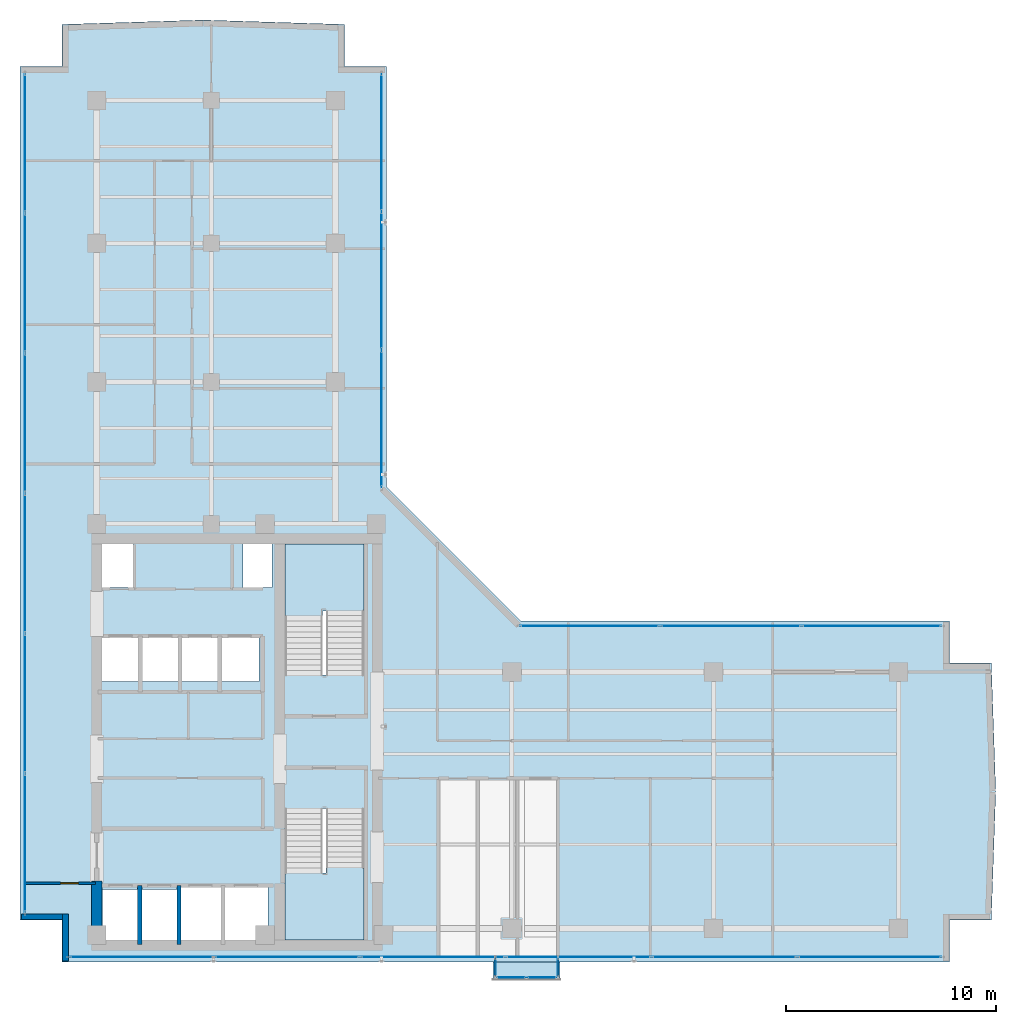
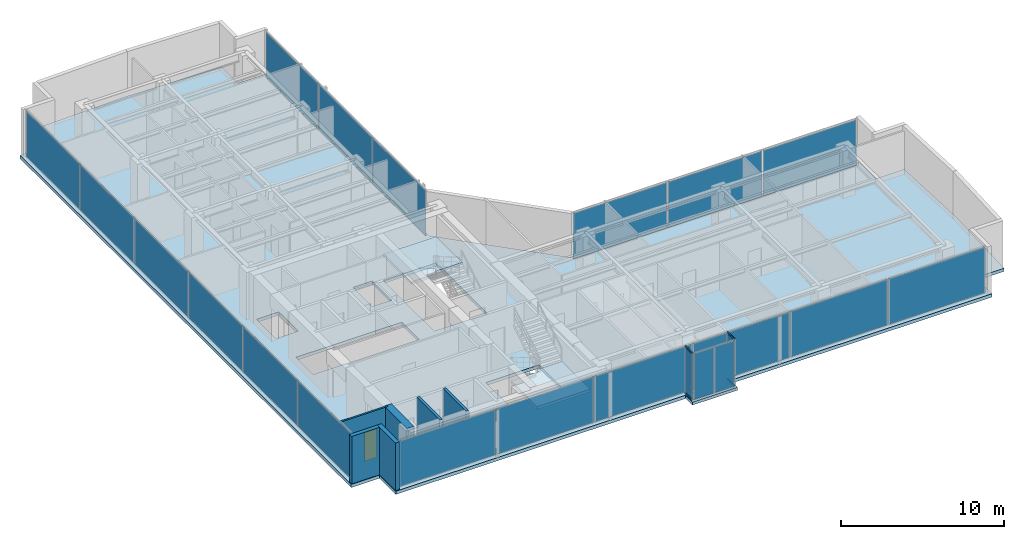
# One storey, part 16 of 22: 22 plates, 6 walls, 4 members, 4 slabs, 1 door, 1 opening, 9 elements without a shape of their own.
"""IFC4 building model written with IfcOpenShell, lengths in metres."""

from ifc_helpers import new_model, si_unit, direction, frame, frame_2d, origin, origin_with_axes, origin_2d, place, context, subcontext, project, spatial, polyline, rectangle, hollow_rectangle, outline, extrude, source, transform, mapped, material, layer, layer_set, material_profile, profile_set, type_object, element, fill, aggregate, save


model = new_model("IFC4")

# Units and contexts
model_context = context("Model", 3, precision=1e-05, world=origin(), true_north=direction((0.0, 1.0)))
body_context = subcontext(model_context, "Body", "Model", "MODEL_VIEW")
ifc_project = project(units=[si_unit("LENGTHUNIT", "METRE"), si_unit("AREAUNIT", "SQUARE_METRE"), si_unit("VOLUMEUNIT", "CUBIC_METRE"), si_unit("PLANEANGLEUNIT", "RADIAN"), si_unit("MASSUNIT", "GRAM", prefix="KILO")], contexts=[model_context])

# Site, building, storey
site_placement = place(None, origin())
site = spatial("IfcSite", under=ifc_project, at=site_placement, CompositionType="ELEMENT")
building_placement = place(site_placement, origin())
building = spatial("IfcBuilding", under=site, at=building_placement, Name="Kolvaren Waterfront Exchange", CompositionType="ELEMENT")
storey_placement = place(building_placement, frame((0.0, 0.0, 323.60009765625)))
storey = spatial("IfcBuildingStorey", under=building, at=storey_placement, Name="L83", CompositionType="ELEMENT", Elevation=323.60009765625)

# Curtain wall, members
ifc_material_1 = material(Name="Anodised bronze aluminium 6063-T6", Category="aluminium")
ifc_layer_1 = layer(ifc_material_1, 0.219970703125, Name="Anodised bronze aluminium 6063-T6")
ifc_layer_set_1 = layer_set([ifc_layer_1], Name="Anodised bronze aluminium 6063-T6")
curtain_wall_type_1 = type_object("IfcCurtainWallType", Name="ARC-CW-SYS3", PredefinedType="USERDEFINED", material=ifc_layer_set_1)
curtain_wall_1_placement = place(storey_placement, origin())
curtain_wall_1 = element("IfcCurtainWall", 1, at=curtain_wall_1_placement, inside=storey, type_object=curtain_wall_type_1, Name="L83 stick curtain wall CW3 (CW-L83-BOX-W)", ObjectType="STICK CURTAIN WALL", PredefinedType="USERDEFINED")
ifc_material_profile = material_profile(ifc_material_1, hollow_rectangle(XDim=0.06494140625, YDim=0.1298828125, WallThickness=0.00390625, at=origin_2d()), Name="ALU-TRN-130x65x4")
ifc_profile_set = profile_set([ifc_material_profile], Name="Anodised bronze aluminium 6063-T6")
member_type = type_object("IfcMemberType", Name="ARC-CWT-130", PredefinedType="USERDEFINED", material=ifc_profile_set)
shared_shape_1 = source(origin_with_axes(), body_context, "Body", "SweptSolid", [
    extrude(hollow_rectangle(XDim=0.06494140625, YDim=0.1298828125, WallThickness=0.00390625, at=origin_2d()), origin(), (0.0, 0.0, 1.0), 0.829833984375),
])
member_1_placement = place(storey_placement, frame((26.409912109375, 3.764892578125, 0.032470703125), z_axis=(0.0, -1.0, 0.0), x_axis=(1.0, 0.0, 0.0)))
member_1 = element("IfcMember", 2, at=member_1_placement, type_object=member_type, Name="CW3 transom 1.1", ObjectType="TRANSOM", PredefinedType="USERDEFINED", context=body_context, shape_type="MappedRepresentation", body=[
    mapped(shared_shape_1, transform((0.0, 0.0, 0.0), x_axis=(1.0, 0.0, 0.0), y_axis=(0.0, 1.0, 0.0), z_axis=(0.0, 0.0, 1.0), scale=1.0)),
])
member_2_placement = place(storey_placement, frame((26.409912109375, 3.764892578125, 3.52734375), z_axis=(0.0, -1.0, 0.0), x_axis=(1.0, 0.0, 0.0)))
member_2 = element("IfcMember", 3, at=member_2_placement, type_object=member_type, Name="CW3 transom 1.2", ObjectType="TRANSOM", PredefinedType="USERDEFINED", context=body_context, shape_type="MappedRepresentation", body=[
    mapped(shared_shape_1, transform((0.0, 0.0, 0.0), x_axis=(1.0, 0.0, 0.0), y_axis=(0.0, 1.0, 0.0), z_axis=(0.0, 0.0, 1.0), scale=1.0)),
])

curtain_wall_2_placement = place(storey_placement, origin())
curtain_wall_2 = element("IfcCurtainWall", 4, at=curtain_wall_2_placement, inside=storey, type_object=curtain_wall_type_1, Name="L83 stick curtain wall CW3 (CW-L83-BOX-E)", ObjectType="STICK CURTAIN WALL", PredefinedType="USERDEFINED")
member_3_placement = place(storey_placement, frame((29.389892578125, 2.93505859375, 0.032470703125), z_axis=(0.0, 1.0, 0.0), x_axis=(-1.0, 0.0, 0.0)))
member_3 = element("IfcMember", 5, at=member_3_placement, type_object=member_type, Name="CW3 transom 1.1", ObjectType="TRANSOM", PredefinedType="USERDEFINED", context=body_context, shape_type="MappedRepresentation", body=[
    mapped(shared_shape_1, transform((0.0, 0.0, 0.0), x_axis=(1.0, 0.0, 0.0), y_axis=(0.0, 1.0, 0.0), z_axis=(0.0, 0.0, 1.0), scale=1.0)),
])
member_4_placement = place(storey_placement, frame((29.389892578125, 2.93505859375, 3.52734375), z_axis=(0.0, 1.0, 0.0), x_axis=(-1.0, 0.0, 0.0)))
member_4 = element("IfcMember", 6, at=member_4_placement, type_object=member_type, Name="CW3 transom 1.2", ObjectType="TRANSOM", PredefinedType="USERDEFINED", context=body_context, shape_type="MappedRepresentation", body=[
    mapped(shared_shape_1, transform((0.0, 0.0, 0.0), x_axis=(1.0, 0.0, 0.0), y_axis=(0.0, 1.0, 0.0), z_axis=(0.0, 0.0, 1.0), scale=1.0)),
])

# Stair, slab
ifc_material_2 = material(Name="Concrete C40/50", Category="concrete")
stair_type = type_object("IfcStairType", Name="ARC-STAIR-3800", PredefinedType="HALF_TURN_STAIR", material=ifc_material_2)
stair_1_placement = place(storey_placement, origin())
stair_1 = element("IfcStair", 7, at=stair_1_placement, inside=storey, type_object=stair_type, Name="L83 Smoke-proof exit stair ST1", PredefinedType="HALF_TURN_STAIR")
ifc_layer_2 = layer(ifc_material_2, 0.199951171875, Name="Concrete C40/50")
ifc_layer_set_2 = layer_set([ifc_layer_2], Name="Concrete C40/50")
slab_type_1 = type_object("IfcSlabType", Name="STR-LANDING-200", PredefinedType="LANDING", material=ifc_layer_set_2)
slab_1_placement = place(storey_placement, frame((0.0, 0.0, 1.77587890625)))
slab_1 = element("IfcSlab", 8, at=slab_1_placement, type_object=slab_type_1, Name="ST1 landing 1", PredefinedType="LANDING", context=body_context, shape_type="SweptSolid", body=[
    extrude(outline(polyline([(16.39990234375, 7.840087890625), (16.39990234375, 4.64990234375), (20.159912109375, 4.64990234375), (20.159912109375, 8.10009765625), (18.360107421875, 8.10009765625), (18.360107421875, 7.840087890625), (16.39990234375, 7.840087890625)])), origin(), (0.0, 0.0, 1.0), 0.199951171875),
])
aggregate(stair_1, [slab_1])

stair_2_placement = place(storey_placement, origin())
stair_2 = element("IfcStair", 9, at=stair_2_placement, inside=storey, type_object=stair_type, Name="L83 Smoke-proof exit stair ST2", PredefinedType="HALF_TURN_STAIR")
slab_2_placement = place(storey_placement, frame((0.0, 0.0, 1.77587890625)))
slab_2 = element("IfcSlab", 10, at=slab_2_placement, type_object=slab_type_1, Name="ST2 landing 1", PredefinedType="LANDING", context=body_context, shape_type="SweptSolid", body=[
    extrude(outline(polyline([(20.159912109375, 20.31005859375), (20.159912109375, 23.5), (16.39990234375, 23.5), (16.39990234375, 20.050048828125), (18.199951171875, 20.050048828125), (18.199951171875, 20.31005859375), (20.159912109375, 20.31005859375)])), origin(), (0.0, 0.0, 1.0), 0.199951171875),
])
aggregate(stair_2, [slab_2])

# Slabs
ifc_layer_3 = layer(ifc_material_2, 0.239990234375, Name="Concrete C40/50")
ifc_layer_set_3 = layer_set([ifc_layer_3], Name="Concrete C40/50")
slab_type_2 = type_object("IfcSlabType", Name="STR-SLAB-240", PredefinedType="FLOOR", material=ifc_layer_set_3)
slab_3_placement = place(storey_placement, frame((0.0, 0.0, -0.239990234375)))
element("IfcSlab", 11, at=slab_3_placement, inside=storey, type_object=slab_type_2, Name="L83 structural floor slab", PredefinedType="FLOOR", context=body_context, shape_type="SweptSolid", body=[
    extrude(outline(polyline([(5.800048828125, 3.60009765625), (48.010498046875, 3.60009765625), (48.010498046875, 5.60009765625), (50.010498046875, 5.60009765625), (50.220947265625, 11.7158203125), (50.010498046875, 17.83154296875), (48.010498046875, 17.83154296875), (48.010498046875, 19.83154296875), (27.631591796875, 19.83154296875), (21.231689453125, 26.231689453125), (21.231689453125, 46.21044921875), (19.231689453125, 46.21044921875), (19.231689453125, 48.21044921875), (12.515869140625, 48.4208984375), (5.800048828125, 48.21044921875), (5.800048828125, 46.21044921875), (3.800048828125, 46.21044921875), (3.800048828125, 5.60009765625), (5.800048828125, 5.60009765625), (5.800048828125, 3.60009765625)]), holes=[polyline([(11.320068359375, 7.260009765625), (15.610107421875, 7.260009765625), (15.610107421875, 4.5400390625), (7.719970703125, 4.5400390625), (7.719970703125, 7.06005859375), (11.320068359375, 7.06005859375), (11.320068359375, 7.260009765625)]), polyline([(20.159912109375, 10.89990234375), (20.159912109375, 4.64990234375), (16.39990234375, 4.64990234375), (16.39990234375, 10.89990234375), (20.159912109375, 10.89990234375)]), polyline([(7.669921875, 19.06005859375), (15.159912109375, 19.06005859375), (15.159912109375, 16.93994140625), (7.669921875, 16.93994140625), (7.669921875, 19.06005859375)]), polyline([(16.39990234375, 17.25), (16.39990234375, 23.5), (20.159912109375, 23.5), (20.159912109375, 17.25), (16.39990234375, 17.25)]), polyline([(7.60009765625, 23.780029296875), (9.179931640625, 23.780029296875), (9.179931640625, 21.419921875), (7.60009765625, 21.419921875), (7.60009765625, 23.780029296875)]), polyline([(14.419921875, 23.780029296875), (15.800048828125, 23.780029296875), (15.800048828125, 21.419921875), (14.419921875, 21.419921875), (14.419921875, 23.780029296875)])]), origin(), (0.0, 0.0, 1.0), 0.239990234375),
])
ifc_layer_4 = layer(ifc_material_2, 0.219970703125, Name="Concrete C40/50")
ifc_layer_set_4 = layer_set([ifc_layer_4], Name="Concrete C40/50")
slab_type_3 = type_object("IfcSlabType", Name="STR-TERR-220", PredefinedType="FLOOR", material=ifc_layer_set_4)
slab_4_placement = place(storey_placement, frame((0.0, 0.0, -0.22021484375)))
element("IfcSlab", 12, at=slab_4_placement, inside=storey, type_object=slab_type_3, Name="L83 projecting bay-box floor strip", PredefinedType="FLOOR", context=body_context, shape_type="SweptSolid", body=[
    extrude(outline(polyline([(26.300048828125, 2.75), (29.5, 2.75), (29.5, 3.60009765625), (26.300048828125, 3.60009765625), (26.300048828125, 2.75)])), origin(), (0.0, 0.0, 1.0), 0.22021484375),
])

# Plate
ifc_material_3 = material(Name="Bronze tinted bay-box vision glass", Category="aluminium")
ifc_layer_5 = layer(ifc_material_3, 0.02392578125, Name="Bronze tinted bay-box vision glass")
ifc_layer_set_5 = layer_set([ifc_layer_5], Name="Bronze tinted bay-box vision glass")
plate_type_1 = type_object("IfcPlateType", Name="ARC-CWP-24", PredefinedType="CURTAIN_PANEL", material=ifc_layer_set_5)
shared_shape_2 = source(origin_with_axes(), body_context, "Body", "SweptSolid", [
    extrude(rectangle(XDim=0.830078125, YDim=0.02392578125, at=origin_2d()), origin(), (0.0, 0.0, 1.0), 3.429931640625),
])
plate_1_placement = place(storey_placement, frame((26.409912109375, 3.35009765625, 0.06494140625), z_axis=(0.0, 0.0, 1.0), x_axis=(0.0, -1.0, 0.0)))
plate_1 = element("IfcPlate", 13, at=plate_1_placement, type_object=plate_type_1, Name="CW3 panel 1.1", PredefinedType="CURTAIN_PANEL", context=body_context, shape_type="MappedRepresentation", body=[
    mapped(shared_shape_2, transform((0.0, 0.0, 0.0), x_axis=(1.0, 0.0, 0.0), y_axis=(0.0, 1.0, 0.0), z_axis=(0.0, 0.0, 1.0), scale=1.0)),
])

aggregate(curtain_wall_1, [member_1, member_2, plate_1])

plate_2_placement = place(storey_placement, frame((29.389892578125, 3.35009765625, 0.06494140625), z_axis=(0.0, 0.0, 1.0), x_axis=(0.0, 1.0, 0.0)))
plate_2 = element("IfcPlate", 14, at=plate_2_placement, type_object=plate_type_1, Name="CW3 panel 1.1", PredefinedType="CURTAIN_PANEL", context=body_context, shape_type="MappedRepresentation", body=[
    mapped(shared_shape_2, transform((0.0, 0.0, 0.0), x_axis=(1.0, 0.0, 0.0), y_axis=(0.0, 1.0, 0.0), z_axis=(0.0, 0.0, 1.0), scale=1.0)),
])

aggregate(curtain_wall_2, [member_3, member_4, plate_2])

# Curtain wall, plates
curtain_wall_3_placement = place(storey_placement, origin())
curtain_wall_3 = element("IfcCurtainWall", 15, at=curtain_wall_3_placement, inside=storey, type_object=curtain_wall_type_1, Name="L83 stick curtain wall CW3 (CW-L83-BOX)", ObjectType="STICK CURTAIN WALL", PredefinedType="USERDEFINED")
shared_shape_3 = source(origin_with_axes(), body_context, "Body", "SweptSolid", [
    extrude(rectangle(XDim=1.37744140625, YDim=0.02392578125, at=origin_2d()), origin(), (0.0, 0.0, 1.0), 3.429931640625),
])
plate_3_placement = place(storey_placement, frame((27.173828125, 2.860107421875, 0.06494140625), z_axis=(0.0, 0.0, 1.0), x_axis=(1.0, 0.0, 0.0)))
plate_3 = element("IfcPlate", 16, at=plate_3_placement, type_object=plate_type_1, Name="CW3 panel 1.1", PredefinedType="CURTAIN_PANEL", context=body_context, shape_type="MappedRepresentation", body=[
    mapped(shared_shape_3, transform((0.0, 0.0, 0.0), x_axis=(1.0, 0.0, 0.0), y_axis=(0.0, 1.0, 0.0), z_axis=(0.0, 0.0, 1.0), scale=1.0)),
])
plate_4_placement = place(storey_placement, frame((28.626220703125, 2.860107421875, 0.06494140625), z_axis=(0.0, 0.0, 1.0), x_axis=(1.0, 0.0, 0.0)))
plate_4 = element("IfcPlate", 17, at=plate_4_placement, type_object=plate_type_1, Name="CW3 panel 2.1", PredefinedType="CURTAIN_PANEL", context=body_context, shape_type="MappedRepresentation", body=[
    mapped(shared_shape_3, transform((0.0, 0.0, 0.0), x_axis=(1.0, 0.0, 0.0), y_axis=(0.0, 1.0, 0.0), z_axis=(0.0, 0.0, 1.0), scale=1.0)),
])
aggregate(curtain_wall_3, [plate_3, plate_4])

ifc_layer_6 = layer(ifc_material_1, 0.219970703125, Name="Anodised bronze aluminium 6063-T6")
ifc_layer_set_6 = layer_set([ifc_layer_6], Name="Anodised bronze aluminium 6063-T6")
curtain_wall_type_2 = type_object("IfcCurtainWallType", Name="ARC-CW-SYS1", PredefinedType="USERDEFINED", material=ifc_layer_set_6)
curtain_wall_4_placement = place(storey_placement, origin())
curtain_wall_4 = element("IfcCurtainWall", 18, at=curtain_wall_4_placement, inside=storey, type_object=curtain_wall_type_2, Name="L83 stick curtain wall CW1 (CW-L83-S)", ObjectType="STICK CURTAIN WALL", PredefinedType="USERDEFINED")
ifc_material_4 = material(Name="Bronze solar control vision glass", Category="aluminium")
ifc_layer_7 = layer(ifc_material_4, 0.028076171875, Name="Bronze solar control vision glass")
ifc_layer_set_7 = layer_set([ifc_layer_7], Name="Bronze solar control vision glass")
plate_type_2 = type_object("IfcPlateType", Name="ARC-CWP-28", PredefinedType="CURTAIN_PANEL", material=ifc_layer_set_7)
shared_shape_4 = source(origin_with_axes(), body_context, "Body", "SweptSolid", [
    extrude(rectangle(XDim=6.815185546875, YDim=0.028076171875, at=origin_2d()), origin(), (0.0, 0.0, 1.0), 3.409912109375),
])
plate_5_placement = place(storey_placement, frame((9.587646484375, 3.840087890625, 0.07470703125), z_axis=(0.0, 0.0, 1.0), x_axis=(1.0, 0.0, 0.0)))
plate_5 = element("IfcPlate", 19, at=plate_5_placement, type_object=plate_type_2, Name="CW1 panel 1.1", PredefinedType="CURTAIN_PANEL", context=body_context, shape_type="MappedRepresentation", body=[
    mapped(shared_shape_4, transform((0.0, 0.0, 0.0), x_axis=(1.0, 0.0, 0.0), y_axis=(0.0, 1.0, 0.0), z_axis=(0.0, 0.0, 1.0), scale=1.0)),
])
plate_6_placement = place(storey_placement, frame((44.222900390625, 3.840087890625, 0.07470703125), z_axis=(0.0, 0.0, 1.0), x_axis=(1.0, 0.0, 0.0)))
plate_6 = element("IfcPlate", 20, at=plate_6_placement, type_object=plate_type_2, Name="CW1 panel 6.1", PredefinedType="CURTAIN_PANEL", context=body_context, shape_type="MappedRepresentation", body=[
    mapped(shared_shape_4, transform((0.0, 0.0, 0.0), x_axis=(1.0, 0.0, 0.0), y_axis=(0.0, 1.0, 0.0), z_axis=(0.0, 0.0, 1.0), scale=1.0)),
])
shared_shape_5 = source(origin_with_axes(), body_context, "Body", "SweptSolid", [
    extrude(rectangle(XDim=6.85498046875, YDim=0.028076171875, at=origin_2d()), origin(), (0.0, 0.0, 1.0), 3.409912109375),
])
plate_7_placement = place(storey_placement, frame((16.502685546875, 3.840087890625, 0.07470703125), z_axis=(0.0, 0.0, 1.0), x_axis=(1.0, 0.0, 0.0)))
plate_7 = element("IfcPlate", 21, at=plate_7_placement, type_object=plate_type_2, Name="CW1 panel 2.1", PredefinedType="CURTAIN_PANEL", context=body_context, shape_type="MappedRepresentation", body=[
    mapped(shared_shape_5, transform((0.0, 0.0, 0.0), x_axis=(1.0, 0.0, 0.0), y_axis=(0.0, 1.0, 0.0), z_axis=(0.0, 0.0, 1.0), scale=1.0)),
])
plate_8_placement = place(storey_placement, frame((23.437744140625, 3.840087890625, 0.07470703125), z_axis=(0.0, 0.0, 1.0), x_axis=(1.0, 0.0, 0.0)))
plate_8 = element("IfcPlate", 22, at=plate_8_placement, type_object=plate_type_2, Name="CW1 panel 3.1", PredefinedType="CURTAIN_PANEL", context=body_context, shape_type="MappedRepresentation", body=[
    mapped(shared_shape_5, transform((0.0, 0.0, 0.0), x_axis=(1.0, 0.0, 0.0), y_axis=(0.0, 1.0, 0.0), z_axis=(0.0, 0.0, 1.0), scale=1.0)),
])
plate_9_placement = place(storey_placement, frame((30.372802734375, 3.840087890625, 0.07470703125), z_axis=(0.0, 0.0, 1.0), x_axis=(1.0, 0.0, 0.0)))
plate_9 = element("IfcPlate", 23, at=plate_9_placement, type_object=plate_type_2, Name="CW1 panel 4.1", PredefinedType="CURTAIN_PANEL", context=body_context, shape_type="MappedRepresentation", body=[
    mapped(shared_shape_5, transform((0.0, 0.0, 0.0), x_axis=(1.0, 0.0, 0.0), y_axis=(0.0, 1.0, 0.0), z_axis=(0.0, 0.0, 1.0), scale=1.0)),
])
plate_10_placement = place(storey_placement, frame((37.307861328125, 3.840087890625, 0.07470703125), z_axis=(0.0, 0.0, 1.0), x_axis=(1.0, 0.0, 0.0)))
plate_10 = element("IfcPlate", 24, at=plate_10_placement, type_object=plate_type_2, Name="CW1 panel 5.1", PredefinedType="CURTAIN_PANEL", context=body_context, shape_type="MappedRepresentation", body=[
    mapped(shared_shape_5, transform((0.0, 0.0, 0.0), x_axis=(1.0, 0.0, 0.0), y_axis=(0.0, 1.0, 0.0), z_axis=(0.0, 0.0, 1.0), scale=1.0)),
])
aggregate(curtain_wall_4, [plate_5, plate_7, plate_8, plate_9, plate_10, plate_6])

ifc_material_5 = material(Name="Anodised aluminium 6063-T6", Category="aluminium")
ifc_layer_8 = layer(ifc_material_5, 0.219970703125, Name="Anodised aluminium 6063-T6")
ifc_layer_set_8 = layer_set([ifc_layer_8], Name="Anodised aluminium 6063-T6")
curtain_wall_type_3 = type_object("IfcCurtainWallType", Name="ARC-CW-SYS2", PredefinedType="USERDEFINED", material=ifc_layer_set_8)
curtain_wall_5_placement = place(storey_placement, origin())
curtain_wall_5 = element("IfcCurtainWall", 25, at=curtain_wall_5_placement, inside=storey, type_object=curtain_wall_type_3, Name="L83 stick curtain wall CW2 (CW-L83-W)", ObjectType="STICK CURTAIN WALL", PredefinedType="USERDEFINED")
ifc_material_6 = material(Name="Acoustic laminated vision glass", Category="glass")
ifc_layer_9 = layer(ifc_material_6, 0.031982421875, Name="Acoustic laminated vision glass")
ifc_layer_set_9 = layer_set([ifc_layer_9], Name="Acoustic laminated vision glass")
plate_type_3 = type_object("IfcPlateType", Name="ARC-CWP-32", PredefinedType="CURTAIN_PANEL", material=ifc_layer_set_9)
shared_shape_6 = source(origin_with_axes(), body_context, "Body", "SweptSolid", [
    extrude(rectangle(XDim=6.54833984375, YDim=0.031982421875, at=origin_2d()), origin(), (0.0, 0.0, 1.0), 3.409912109375),
])
plate_11_placement = place(storey_placement, frame((4.0400390625, 9.254150390625, 0.07470703125), z_axis=(0.0, 0.0, 1.0), x_axis=(0.0, 1.0, 0.0)))
plate_11 = element("IfcPlate", 26, at=plate_11_placement, type_object=plate_type_3, Name="CW2 panel 1.1", PredefinedType="CURTAIN_PANEL", context=body_context, shape_type="MappedRepresentation", body=[
    mapped(shared_shape_6, transform((0.0, 0.0, 0.0), x_axis=(1.0, 0.0, 0.0), y_axis=(0.0, 1.0, 0.0), z_axis=(0.0, 0.0, 1.0), scale=1.0)),
])
plate_12_placement = place(storey_placement, frame((4.0400390625, 42.556396484375, 0.07470703125), z_axis=(0.0, 0.0, 1.0), x_axis=(0.0, 1.0, 0.0)))
plate_12 = element("IfcPlate", 27, at=plate_12_placement, type_object=plate_type_3, Name="CW2 panel 6.1", PredefinedType="CURTAIN_PANEL", context=body_context, shape_type="MappedRepresentation", body=[
    mapped(shared_shape_6, transform((0.0, 0.0, 0.0), x_axis=(1.0, 0.0, 0.0), y_axis=(0.0, 1.0, 0.0), z_axis=(0.0, 0.0, 1.0), scale=1.0)),
])
shared_shape_7 = source(origin_with_axes(), body_context, "Body", "SweptSolid", [
    extrude(rectangle(XDim=6.58837890625, YDim=0.031982421875, at=origin_2d()), origin(), (0.0, 0.0, 1.0), 3.409912109375),
])
plate_13_placement = place(storey_placement, frame((4.0400390625, 15.902587890625, 0.07470703125), z_axis=(0.0, 0.0, 1.0), x_axis=(0.0, 1.0, 0.0)))
plate_13 = element("IfcPlate", 28, at=plate_13_placement, type_object=plate_type_3, Name="CW2 panel 2.1", PredefinedType="CURTAIN_PANEL", context=body_context, shape_type="MappedRepresentation", body=[
    mapped(shared_shape_7, transform((0.0, 0.0, 0.0), x_axis=(1.0, 0.0, 0.0), y_axis=(0.0, 1.0, 0.0), z_axis=(0.0, 0.0, 1.0), scale=1.0)),
])
plate_14_placement = place(storey_placement, frame((4.0400390625, 22.571044921875, 0.07470703125), z_axis=(0.0, 0.0, 1.0), x_axis=(0.0, 1.0, 0.0)))
plate_14 = element("IfcPlate", 29, at=plate_14_placement, type_object=plate_type_3, Name="CW2 panel 3.1", PredefinedType="CURTAIN_PANEL", context=body_context, shape_type="MappedRepresentation", body=[
    mapped(shared_shape_7, transform((0.0, 0.0, 0.0), x_axis=(1.0, 0.0, 0.0), y_axis=(0.0, 1.0, 0.0), z_axis=(0.0, 0.0, 1.0), scale=1.0)),
])
plate_15_placement = place(storey_placement, frame((4.0400390625, 29.239501953125, 0.07470703125), z_axis=(0.0, 0.0, 1.0), x_axis=(0.0, 1.0, 0.0)))
plate_15 = element("IfcPlate", 30, at=plate_15_placement, type_object=plate_type_3, Name="CW2 panel 4.1", PredefinedType="CURTAIN_PANEL", context=body_context, shape_type="MappedRepresentation", body=[
    mapped(shared_shape_7, transform((0.0, 0.0, 0.0), x_axis=(1.0, 0.0, 0.0), y_axis=(0.0, 1.0, 0.0), z_axis=(0.0, 0.0, 1.0), scale=1.0)),
])
plate_16_placement = place(storey_placement, frame((4.0400390625, 35.907958984375, 0.07470703125), z_axis=(0.0, 0.0, 1.0), x_axis=(0.0, 1.0, 0.0)))
plate_16 = element("IfcPlate", 31, at=plate_16_placement, type_object=plate_type_3, Name="CW2 panel 5.1", PredefinedType="CURTAIN_PANEL", context=body_context, shape_type="MappedRepresentation", body=[
    mapped(shared_shape_7, transform((0.0, 0.0, 0.0), x_axis=(1.0, 0.0, 0.0), y_axis=(0.0, 1.0, 0.0), z_axis=(0.0, 0.0, 1.0), scale=1.0)),
])
aggregate(curtain_wall_5, [plate_11, plate_13, plate_14, plate_15, plate_16, plate_12])

curtain_wall_6_placement = place(storey_placement, origin())
curtain_wall_6 = element("IfcCurtainWall", 32, at=curtain_wall_6_placement, inside=storey, type_object=curtain_wall_type_2, Name="L83 stick curtain wall CW1 (CW-L83-NE)", ObjectType="STICK CURTAIN WALL", PredefinedType="USERDEFINED")
shared_shape_8 = source(origin_with_axes(), body_context, "Body", "SweptSolid", [
    extrude(rectangle(XDim=6.476318359375, YDim=0.028076171875, at=origin_2d()), origin(), (0.0, 0.0, 1.0), 3.409912109375),
])
plate_17_placement = place(storey_placement, frame((20.99169921875, 29.439697265625, 0.07470703125), z_axis=(0.0, 0.0, 1.0), x_axis=(0.0, 1.0, 0.0)))
plate_17 = element("IfcPlate", 33, at=plate_17_placement, type_object=plate_type_2, Name="CW1 panel 1.1", PredefinedType="CURTAIN_PANEL", context=body_context, shape_type="MappedRepresentation", body=[
    mapped(shared_shape_8, transform((0.0, 0.0, 0.0), x_axis=(1.0, 0.0, 0.0), y_axis=(0.0, 1.0, 0.0), z_axis=(0.0, 0.0, 1.0), scale=1.0)),
])
plate_18_placement = place(storey_placement, frame((20.99169921875, 42.59228515625, 0.07470703125), z_axis=(0.0, 0.0, 1.0), x_axis=(0.0, 1.0, 0.0)))
plate_18 = element("IfcPlate", 34, at=plate_18_placement, type_object=plate_type_2, Name="CW1 panel 3.1", PredefinedType="CURTAIN_PANEL", context=body_context, shape_type="MappedRepresentation", body=[
    mapped(shared_shape_8, transform((0.0, 0.0, 0.0), x_axis=(1.0, 0.0, 0.0), y_axis=(0.0, 1.0, 0.0), z_axis=(0.0, 0.0, 1.0), scale=1.0)),
])
shared_shape_9 = source(origin_with_axes(), body_context, "Body", "SweptSolid", [
    extrude(rectangle(XDim=6.516357421875, YDim=0.028076171875, at=origin_2d()), origin(), (0.0, 0.0, 1.0), 3.409912109375),
])
plate_19_placement = place(storey_placement, frame((20.99169921875, 36.01611328125, 0.07470703125), z_axis=(0.0, 0.0, 1.0), x_axis=(0.0, 1.0, 0.0)))
plate_19 = element("IfcPlate", 35, at=plate_19_placement, type_object=plate_type_2, Name="CW1 panel 2.1", PredefinedType="CURTAIN_PANEL", context=body_context, shape_type="MappedRepresentation", body=[
    mapped(shared_shape_9, transform((0.0, 0.0, 0.0), x_axis=(1.0, 0.0, 0.0), y_axis=(0.0, 1.0, 0.0), z_axis=(0.0, 0.0, 1.0), scale=1.0)),
])
aggregate(curtain_wall_6, [plate_17, plate_19, plate_18])

curtain_wall_7_placement = place(storey_placement, origin())
curtain_wall_7 = element("IfcCurtainWall", 36, at=curtain_wall_7_placement, inside=storey, type_object=curtain_wall_type_2, Name="L83 stick curtain wall CW1 (CW-L83-EN)", ObjectType="STICK CURTAIN WALL", PredefinedType="USERDEFINED")
shared_shape_10 = source(origin_with_axes(), body_context, "Body", "SweptSolid", [
    extrude(rectangle(XDim=6.609619140625, YDim=0.028076171875, at=origin_2d()), origin(), (0.0, 0.0, 1.0), 3.409912109375),
])
plate_20_placement = place(storey_placement, frame((30.906494140625, 19.591552734375, 0.07470703125), z_axis=(0.0, 0.0, 1.0), x_axis=(1.0, 0.0, 0.0)))
plate_20 = element("IfcPlate", 37, at=plate_20_placement, type_object=plate_type_2, Name="CW1 panel 1.1", PredefinedType="CURTAIN_PANEL", context=body_context, shape_type="MappedRepresentation", body=[
    mapped(shared_shape_10, transform((0.0, 0.0, 0.0), x_axis=(1.0, 0.0, 0.0), y_axis=(0.0, 1.0, 0.0), z_axis=(0.0, 0.0, 1.0), scale=1.0)),
])
plate_21_placement = place(storey_placement, frame((44.32568359375, 19.591552734375, 0.07470703125), z_axis=(0.0, 0.0, 1.0), x_axis=(1.0, 0.0, 0.0)))
plate_21 = element("IfcPlate", 38, at=plate_21_placement, type_object=plate_type_2, Name="CW1 panel 3.1", PredefinedType="CURTAIN_PANEL", context=body_context, shape_type="MappedRepresentation", body=[
    mapped(shared_shape_10, transform((0.0, 0.0, 0.0), x_axis=(1.0, 0.0, 0.0), y_axis=(0.0, 1.0, 0.0), z_axis=(0.0, 0.0, 1.0), scale=1.0)),
])
shared_shape_11 = source(origin_with_axes(), body_context, "Body", "SweptSolid", [
    extrude(rectangle(XDim=6.649658203125, YDim=0.028076171875, at=origin_2d()), origin(), (0.0, 0.0, 1.0), 3.409912109375),
])
plate_22_placement = place(storey_placement, frame((37.615966796875, 19.591552734375, 0.07470703125), z_axis=(0.0, 0.0, 1.0), x_axis=(1.0, 0.0, 0.0)))
plate_22 = element("IfcPlate", 39, at=plate_22_placement, type_object=plate_type_2, Name="CW1 panel 2.1", PredefinedType="CURTAIN_PANEL", context=body_context, shape_type="MappedRepresentation", body=[
    mapped(shared_shape_11, transform((0.0, 0.0, 0.0), x_axis=(1.0, 0.0, 0.0), y_axis=(0.0, 1.0, 0.0), z_axis=(0.0, 0.0, 1.0), scale=1.0)),
])
aggregate(curtain_wall_7, [plate_20, plate_22, plate_21])

# Walls
ifc_material_7 = material(Name="Precast concrete C40/50", Category="concrete")
ifc_layer_10 = layer(ifc_material_7, 0.280029296875, Name="Precast concrete C40/50")
ifc_layer_set_10 = layer_set([ifc_layer_10], Name="Precast concrete C40/50")
wall_type_1 = type_object("IfcWallType", Name="ARC-EXT-TERR-280", PredefinedType="SOLIDWALL", material=ifc_layer_set_10)
wall_1_placement = place(storey_placement, frame((5.9599609375, 3.659912109375, 0.0), z_axis=(0.0, 0.0, 1.0), x_axis=(0.0, 1.0, 0.0)))
element("IfcWall", 40, at=wall_1_placement, inside=storey, type_object=wall_type_1, Name="L83 notched corner spandrel pier SW-A", PredefinedType="SOLIDWALL", context=body_context, shape_type="SweptSolid", body=[
    extrude(rectangle(XDim=2.239990234375, YDim=0.280029296875, at=frame_2d((1.1201171875, 0.0))), origin(), (0.0, 0.0, 1.0), 3.559814453125),
])
wall_2_placement = place(storey_placement, frame((3.860107421875, 5.760009765625, 0.0), z_axis=(0.0, 0.0, 1.0), x_axis=(1.0, 0.0, 0.0)))
element("IfcWall", 41, at=wall_2_placement, inside=storey, type_object=wall_type_1, Name="L83 notched corner spandrel pier SW-B", PredefinedType="SOLIDWALL", context=body_context, shape_type="SweptSolid", body=[
    extrude(rectangle(XDim=1.9599609375, YDim=0.280029296875, at=frame_2d((0.97998046875, 0.0))), origin(), (0.0, 0.0, 1.0), 3.559814453125),
])

# Wall, opening, door
ifc_material_8 = material(Name="Acoustic gypsum steel stud", Category="steel")
ifc_layer_11 = layer(ifc_material_8, 0.125, Name="Acoustic gypsum steel stud")
ifc_layer_set_11 = layer_set([ifc_layer_11], Name="Acoustic gypsum steel stud")
wall_type_2 = type_object("IfcWallType", Name="ARC-PART-125", PredefinedType="PARTITIONING", material=ifc_layer_set_11)
wall_3_placement = place(storey_placement, frame((4.0400390625, 7.35009765625, 0.0), z_axis=(0.0, 0.0, 1.0), x_axis=(1.0, 0.0, 0.0)))
wall_3 = element("IfcWall", 42, at=wall_3_placement, inside=storey, type_object=wall_type_2, Name="L83 interior wall PW-L83-SWC-N", PredefinedType="PARTITIONING", context=body_context, shape_type="SweptSolid", body=[
    extrude(rectangle(XDim=3.35986328125, YDim=0.125, at=frame_2d((1.679931640625, 0.0))), origin(), (0.0, 0.0, 1.0), 3.559814453125),
])
opening_placement = place(wall_3_placement, frame((1.686767578125, 0.0, 0.0)))
opening = element("IfcOpeningElement", 43, at=opening_placement, cuts=wall_3, Name="Opening D01", PredefinedType="OPENING", context=body_context, shape_type="SweptSolid", body=[
    extrude(rectangle(XDim=0.85009765625, YDim=2.14990234375, at=frame_2d((0.425048828125, 1.074951171875))), frame((0.0, 0.072509765625, 0.0), z_axis=(0.0, -1.0, 0.0), x_axis=(1.0, 0.0, 0.0)), (0.0, 0.0, 1.0), 0.14501953125),
])
ifc_material_9 = material(Name="Oak veneer timber leaf", Category="wood")
door_type = type_object("IfcDoorType", Name="ARC-DR-900", OperationType="NOTDEFINED", PredefinedType="DOOR", material=ifc_material_9)
door_placement = place(opening_placement, origin())
door = element("IfcDoor", 44, at=door_placement, inside=storey, type_object=door_type, Name="L83 door DR-L83-SWC-D (D01)", OperationType="SINGLE_SWING_LEFT", OverallHeight=2.14990234375, OverallWidth=0.85009765625, PredefinedType="DOOR", context=body_context, shape_type="SweptSolid", body=[
    extrude(rectangle(XDim=0.85009765625, YDim=2.14990234375, at=frame_2d((0.425048828125, 1.074951171875))), frame((0.0, 0.02490234375, 0.0), z_axis=(0.0, -1.0, 0.0), x_axis=(1.0, 0.0, 0.0)), (0.0, 0.0, 1.0), 0.050048828125),
])
fill(opening, door)

# Walls
ifc_layer_12 = layer(ifc_material_2, 0.199951171875, Name="Concrete C40/50")
ifc_layer_set_12 = layer_set([ifc_layer_12], Name="Concrete C40/50")
wall_type_3 = type_object("IfcWallType", Name="ARC-SHAFT-200", PredefinedType="PARTITIONING", material=ifc_layer_set_12)
for number, where, z_axis, x_axis, name in (
    (45, (9.5, 4.449951171875, 0.0), (0.0, 0.0, 1.0), (0.0, 1.0, 0.0), "L83 interior wall PW-L83-SH1-DIV-95"),
    (46, (11.360107421875, 4.449951171875, 0.0), (0.0, 0.0, 1.0), (0.0, 1.0, 0.0), "L83 interior wall PW-L83-SH1-DIV-113"),
):
    element("IfcWall", number, at=place(storey_placement, frame(where, z_axis=z_axis, x_axis=x_axis)), inside=storey, type_object=wall_type_3, Name=name, PredefinedType="PARTITIONING", context=body_context, shape_type="SweptSolid", body=[
        extrude(rectangle(XDim=2.800048828125, YDim=0.199951171875, at=frame_2d((1.39990234375, 0.0))), origin(), (0.0, 0.0, 1.0), 3.559814453125),
    ])
ifc_material_10 = material(Name="Concrete C50/60", Category="concrete")
ifc_layer_13 = layer(ifc_material_10, 0.5, Name="Concrete C50/60")
ifc_layer_set_13 = layer_set([ifc_layer_13], Name="Concrete C50/60")
wall_type_4 = type_object("IfcWallType", Name="STR-CWALL-500", PredefinedType="SHEAR", material=ifc_layer_set_13)
wall_4_placement = place(storey_placement, frame((7.449951171875, 4.64990234375, 0.0), z_axis=(0.0, 0.0, 1.0), x_axis=(0.0, 1.0, 0.0)))
element("IfcWall", 47, at=wall_4_placement, inside=storey, type_object=wall_type_4, Name="L83 rear-core shear wall W1", PredefinedType="SHEAR", context=body_context, shape_type="SweptSolid", body=[
    extrude(rectangle(XDim=2.800048828125, YDim=0.5, at=frame_2d((1.39990234375, 0.0))), origin(), (0.0, 0.0, 1.0), 3.559814453125),
])

save(model, "model.ifc")
